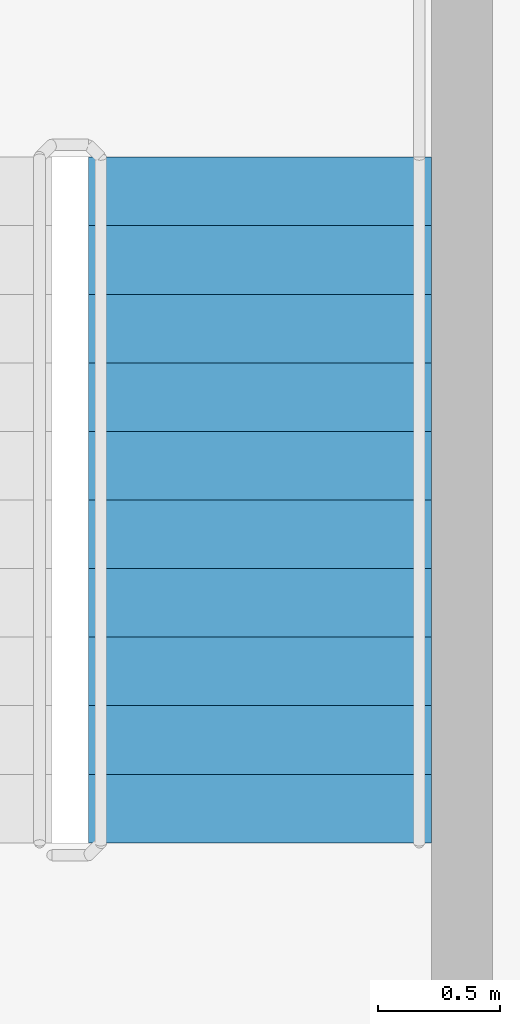
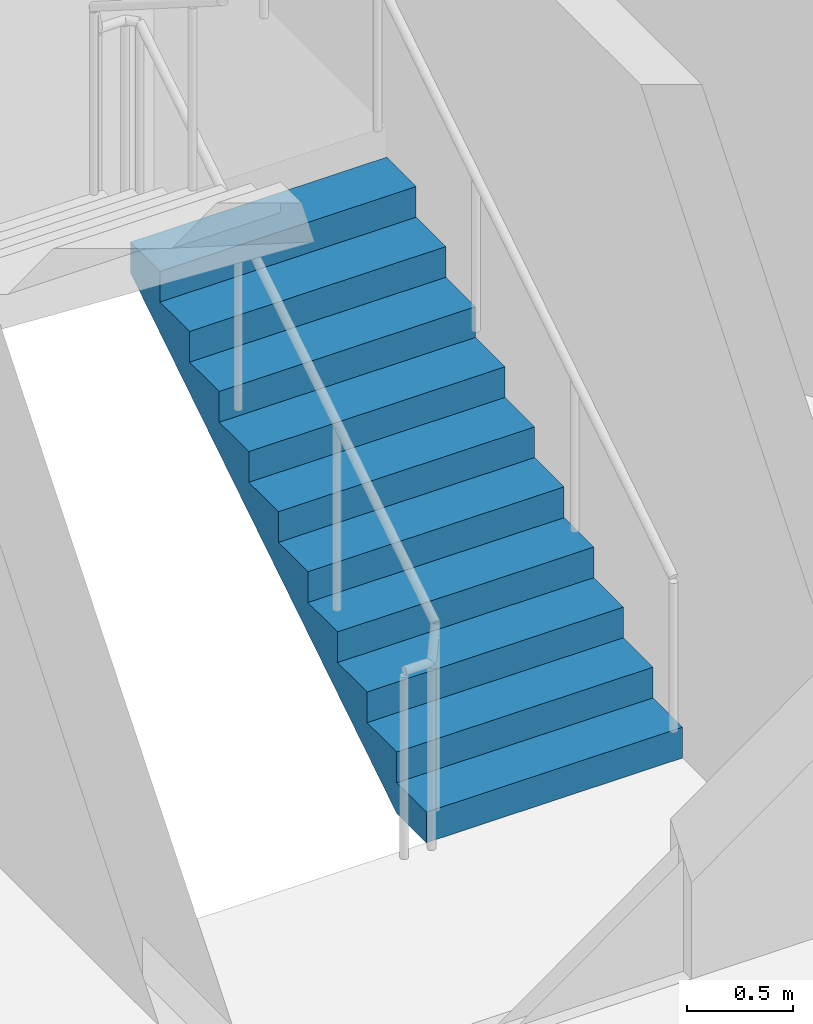
# One storey, part 9 of 10: 1 stair flight, 1 element without a shape of its own.
"""IFC4 building model written with IfcOpenShell, lengths in metres."""

from ifc_helpers import new_model, si_unit, direction, frame, origin, place, context, subcontext, project, spatial, polyline, outline, extrude, material, type_object, element, aggregate, save


model = new_model("IFC4")

# Units and contexts
model_context = context("Model", 3, precision=1e-05, world=origin(), true_north=direction((0.0, 1.0)))
body_context = subcontext(model_context, "Body", "Model", "MODEL_VIEW")
ifc_project = project(units=[si_unit("LENGTHUNIT", "METRE"), si_unit("AREAUNIT", "SQUARE_METRE"), si_unit("VOLUMEUNIT", "CUBIC_METRE"), si_unit("PLANEANGLEUNIT", "RADIAN"), si_unit("MASSUNIT", "GRAM", prefix="KILO")], contexts=[model_context])

# Site, building, storey
site_placement = place(None, origin())
site = spatial("IfcSite", under=ifc_project, at=site_placement, CompositionType="ELEMENT")
building_placement = place(site_placement, origin())
building = spatial("IfcBuilding", under=site, at=building_placement, Name="Tarnside Tower", CompositionType="ELEMENT")
storey_placement = place(building_placement, frame((0.0, 0.0, 226.800048828125)))
storey = spatial("IfcBuildingStorey", under=building, at=storey_placement, Name="L54", CompositionType="ELEMENT", Elevation=226.800048828125)

# Stair, stair flight
ifc_material = material(Name="Concrete C40/50", Category="concrete")
stair_type = type_object("IfcStairType", Name="Exit stair 1400 clear", PredefinedType="HALF_TURN_STAIR", material=ifc_material)
stair_placement = place(storey_placement, origin())
stair = element("IfcStair", 1, at=stair_placement, inside=storey, type_object=stair_type, Name="L54 Exit stair 1", PredefinedType="HALF_TURN_STAIR")
stair_flight_type = type_object("IfcStairFlightType", Name="Exit stair flight 1400", PredefinedType="STRAIGHT", material=ifc_material)
stair_flight_placement = place(storey_placement, frame((8.14990234375, -1.800048828125, 0.0), z_axis=(0.0, 0.0, 1.0), x_axis=(0.0, 1.0, 0.0)))
stair_flight = element("IfcStairFlight", 2, at=stair_flight_placement, type_object=stair_flight_type, Name="ST1 flight 1", NumberOfRisers=11, NumberOfTreads=10, PredefinedType="STRAIGHT", RiserHeight=0.177272727, TreadLength=0.28, context=body_context, shape_type="SweptSolid", body=[
    extrude(outline(polyline([(0.0, 0.0), (0.0, 0.17724609375), (0.280029296875, 0.17724609375), (0.280029296875, 0.3544921875), (0.56005859375, 0.3544921875), (0.56005859375, 0.53173828125), (0.840087890625, 0.53173828125), (0.840087890625, 0.708984375), (1.1201171875, 0.708984375), (1.1201171875, 0.886474609375), (1.39990234375, 0.886474609375), (1.39990234375, 1.063720703125), (1.679931640625, 1.063720703125), (1.679931640625, 1.240966796875), (1.9599609375, 1.240966796875), (1.9599609375, 1.418212890625), (2.239990234375, 1.418212890625), (2.239990234375, 1.595458984375), (2.52001953125, 1.595458984375), (2.52001953125, 1.772705078125), (2.800048828125, 1.772705078125), (2.800048828125, 1.949951171875), (2.800048828125, 1.59521484375), (0.2802734375, 0.0), (0.0, 0.0)])), frame((0.0, 0.699951171875, 0.0), z_axis=(0.0, -1.0, 0.0), x_axis=(1.0, 0.0, 0.0)), (0.0, 0.0, 1.0), 1.39990234375),
])
aggregate(stair, [stair_flight])

save(model, "model.ifc")
